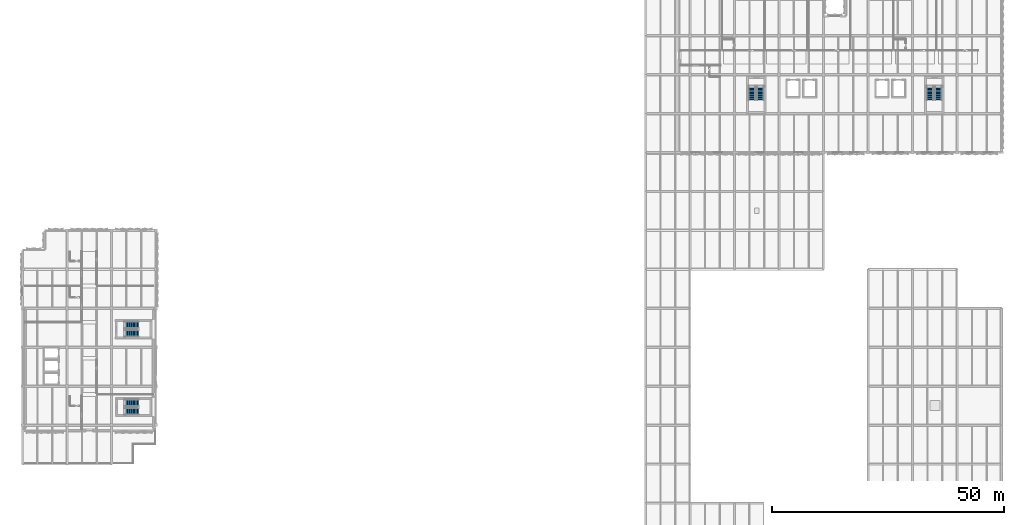
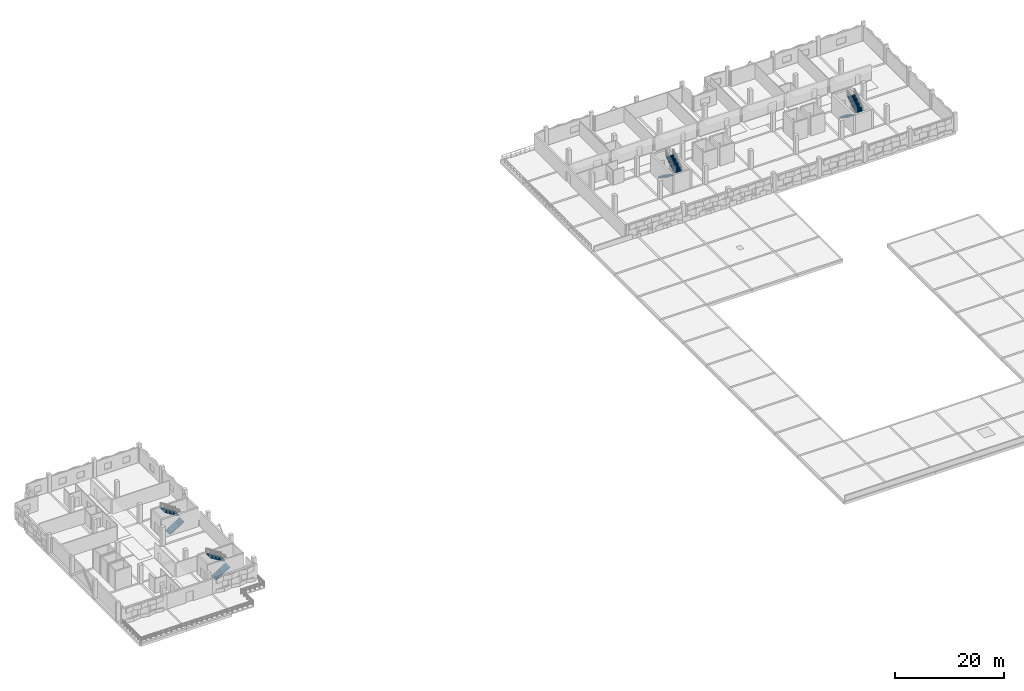
# One storey, part 17 of 24: 8 stair flights, 4 elements without a shape of their own.
"""IFC4 building model written with IfcOpenShell, lengths in metres."""

from ifc_helpers import new_model, si_unit, direction, frame, origin, place, context, subcontext, project, spatial, polyline, outline, extrude, material, type_object, element, aggregate, save


model = new_model("IFC4")

# Units and contexts
model_context = context("Model", 3, precision=1e-05, world=origin(), true_north=direction((0.0, 1.0)))
body_context = subcontext(model_context, "Body", "Model", "MODEL_VIEW")
ifc_project = project(units=[si_unit("LENGTHUNIT", "METRE"), si_unit("AREAUNIT", "SQUARE_METRE"), si_unit("VOLUMEUNIT", "CUBIC_METRE"), si_unit("PLANEANGLEUNIT", "RADIAN"), si_unit("MASSUNIT", "GRAM", prefix="KILO")], contexts=[model_context])

# Site, building, storey
site_placement = place(None, origin())
site = spatial("IfcSite", under=ifc_project, at=site_placement, CompositionType="ELEMENT")
building_placement = place(site_placement, origin())
building = spatial("IfcBuilding", under=site, at=building_placement, Name="Oolite Switchyard Hospital", CompositionType="ELEMENT")
storey_placement = place(building_placement, frame((0.0, 0.0, 22.0)))
storey = spatial("IfcBuildingStorey", under=building, at=storey_placement, Name="L05", CompositionType="ELEMENT", Elevation=22.0)

# Stair, stair flights
ifc_material = material(Name="Concrete C40/50", Category="concrete")
stair_type = type_object("IfcStairType", Name="STR-DL-156-R24", PredefinedType="HALF_TURN_STAIR", material=ifc_material)
stair_1_placement = place(storey_placement, origin())
stair_1 = element("IfcStair", 1, at=stair_1_placement, inside=storey, type_object=stair_type, Name="L05 Exit Stair ST-01", PredefinedType="HALF_TURN_STAIR")
stair_flight_type = type_object("IfcStairFlightType", Name="FLT-DL-156-R12", PredefinedType="STRAIGHT", material=ifc_material)
stair_flight_1_placement = place(storey_placement, frame((21.9599609375, 44.97998046875, 0.0), z_axis=(0.0, 0.0, 1.0), x_axis=(1.0, 0.0, 0.0)))
stair_flight_1 = element("IfcStairFlight", 2, at=stair_flight_1_placement, type_object=stair_flight_type, Name="ST-01 flight 1", NumberOfRisers=12, NumberOfTreads=11, PredefinedType="STRAIGHT", RiserHeight=0.175, TreadLength=0.28, context=body_context, shape_type="SweptSolid", body=[
    extrude(outline(polyline([(0.0, 0.0), (0.0, 0.175048828125), (0.280029296875, 0.175048828125), (0.280029296875, 0.35009765625), (0.56005859375, 0.35009765625), (0.56005859375, 0.52490234375), (0.840087890625, 0.52490234375), (0.840087890625, 0.699951171875), (1.1201171875, 0.699951171875), (1.1201171875, 0.875), (1.39990234375, 0.875), (1.39990234375, 1.050048828125), (1.679931640625, 1.050048828125), (1.679931640625, 1.22509765625), (1.9599609375, 1.22509765625), (1.9599609375, 1.39990234375), (2.239990234375, 1.39990234375), (2.239990234375, 1.574951171875), (2.52001953125, 1.574951171875), (2.52001953125, 1.75), (2.800048828125, 1.75), (2.800048828125, 1.925048828125), (3.080078125, 1.925048828125), (3.080078125, 2.10009765625), (3.080078125, 1.748291015625), (0.28271484375, 0.0), (0.0, 0.0)])), frame((0.0, 0.780029296875, 0.0), z_axis=(0.0, -1.0, 0.0), x_axis=(1.0, 0.0, 0.0)), (0.0, 0.0, 1.0), 1.56005859375),
])
stair_flight_2_placement = place(storey_placement, frame((25.0400390625, 46.780029296875, 2.10009765625), z_axis=(0.0, 0.0, 1.0), x_axis=(-1.0, 0.0, 0.0)))
stair_flight_2 = element("IfcStairFlight", 3, at=stair_flight_2_placement, type_object=stair_flight_type, Name="ST-01 flight 2", NumberOfRisers=12, NumberOfTreads=11, PredefinedType="STRAIGHT", RiserHeight=0.175, TreadLength=0.28, context=body_context, shape_type="SweptSolid", body=[
    extrude(outline(polyline([(0.0, 0.0), (0.0, 0.175048828125), (0.280029296875, 0.175048828125), (0.280029296875, 0.35009765625), (0.56005859375, 0.35009765625), (0.56005859375, 0.52490234375), (0.840087890625, 0.52490234375), (0.840087890625, 0.699951171875), (1.1201171875, 0.699951171875), (1.1201171875, 0.875), (1.39990234375, 0.875), (1.39990234375, 1.050048828125), (1.679931640625, 1.050048828125), (1.679931640625, 1.22509765625), (1.9599609375, 1.22509765625), (1.9599609375, 1.39990234375), (2.239990234375, 1.39990234375), (2.239990234375, 1.574951171875), (2.52001953125, 1.574951171875), (2.52001953125, 1.75), (2.800048828125, 1.75), (2.800048828125, 1.925048828125), (3.080078125, 1.925048828125), (3.080078125, 2.10009765625), (3.080078125, 1.748291015625), (0.28271484375, 0.0), (0.0, 0.0)])), frame((0.0, 0.780029296875, 0.0), z_axis=(0.0, -1.0, 0.0), x_axis=(1.0, 0.0, 0.0)), (0.0, 0.0, 1.0), 1.56005859375),
])
aggregate(stair_1, [stair_flight_1, stair_flight_2])

stair_2_placement = place(storey_placement, origin())
stair_2 = element("IfcStair", 4, at=stair_2_placement, inside=storey, type_object=stair_type, Name="L05 Exit Stair ST-02", PredefinedType="HALF_TURN_STAIR")
stair_flight_3_placement = place(storey_placement, frame((21.9599609375, 61.780029296875, 0.0), z_axis=(0.0, 0.0, 1.0), x_axis=(1.0, 0.0, 0.0)))
stair_flight_3 = element("IfcStairFlight", 5, at=stair_flight_3_placement, type_object=stair_flight_type, Name="ST-02 flight 1", NumberOfRisers=12, NumberOfTreads=11, PredefinedType="STRAIGHT", RiserHeight=0.175, TreadLength=0.28, context=body_context, shape_type="SweptSolid", body=[
    extrude(outline(polyline([(0.0, 0.0), (0.0, 0.175048828125), (0.280029296875, 0.175048828125), (0.280029296875, 0.35009765625), (0.56005859375, 0.35009765625), (0.56005859375, 0.52490234375), (0.840087890625, 0.52490234375), (0.840087890625, 0.699951171875), (1.1201171875, 0.699951171875), (1.1201171875, 0.875), (1.39990234375, 0.875), (1.39990234375, 1.050048828125), (1.679931640625, 1.050048828125), (1.679931640625, 1.22509765625), (1.9599609375, 1.22509765625), (1.9599609375, 1.39990234375), (2.239990234375, 1.39990234375), (2.239990234375, 1.574951171875), (2.52001953125, 1.574951171875), (2.52001953125, 1.75), (2.800048828125, 1.75), (2.800048828125, 1.925048828125), (3.080078125, 1.925048828125), (3.080078125, 2.10009765625), (3.080078125, 1.748291015625), (0.28271484375, 0.0), (0.0, 0.0)])), frame((0.0, 0.780029296875, 0.0), z_axis=(0.0, -1.0, 0.0), x_axis=(1.0, 0.0, 0.0)), (0.0, 0.0, 1.0), 1.56005859375),
])
stair_flight_4_placement = place(storey_placement, frame((25.0400390625, 63.580078125, 2.10009765625), z_axis=(0.0, 0.0, 1.0), x_axis=(-1.0, 0.0, 0.0)))
stair_flight_4 = element("IfcStairFlight", 6, at=stair_flight_4_placement, type_object=stair_flight_type, Name="ST-02 flight 2", NumberOfRisers=12, NumberOfTreads=11, PredefinedType="STRAIGHT", RiserHeight=0.175, TreadLength=0.28, context=body_context, shape_type="SweptSolid", body=[
    extrude(outline(polyline([(0.0, 0.0), (0.0, 0.175048828125), (0.280029296875, 0.175048828125), (0.280029296875, 0.35009765625), (0.56005859375, 0.35009765625), (0.56005859375, 0.52490234375), (0.840087890625, 0.52490234375), (0.840087890625, 0.699951171875), (1.1201171875, 0.699951171875), (1.1201171875, 0.875), (1.39990234375, 0.875), (1.39990234375, 1.050048828125), (1.679931640625, 1.050048828125), (1.679931640625, 1.22509765625), (1.9599609375, 1.22509765625), (1.9599609375, 1.39990234375), (2.239990234375, 1.39990234375), (2.239990234375, 1.574951171875), (2.52001953125, 1.574951171875), (2.52001953125, 1.75), (2.800048828125, 1.75), (2.800048828125, 1.925048828125), (3.080078125, 1.925048828125), (3.080078125, 2.10009765625), (3.080078125, 1.748291015625), (0.28271484375, 0.0), (0.0, 0.0)])), frame((0.0, 0.780029296875, 0.0), z_axis=(0.0, -1.0, 0.0), x_axis=(1.0, 0.0, 0.0)), (0.0, 0.0, 1.0), 1.56005859375),
])
aggregate(stair_2, [stair_flight_3, stair_flight_4])

stair_3_placement = place(storey_placement, origin())
stair_3 = element("IfcStair", 7, at=stair_3_placement, inside=storey, type_object=stair_type, Name="L05 Exit Stair ST-03", PredefinedType="HALF_TURN_STAIR")
stair_flight_5_placement = place(storey_placement, frame((157.3798828125, 115.18994140625, 0.0), z_axis=(0.0, 0.0, 1.0), x_axis=(0.0, -1.0, 0.0)))
stair_flight_5 = element("IfcStairFlight", 8, at=stair_flight_5_placement, type_object=stair_flight_type, Name="ST-03 flight 1", NumberOfRisers=12, NumberOfTreads=11, PredefinedType="STRAIGHT", RiserHeight=0.175, TreadLength=0.28, context=body_context, shape_type="SweptSolid", body=[
    extrude(outline(polyline([(0.0, 0.0), (0.0, 0.175048828125), (0.280029296875, 0.175048828125), (0.280029296875, 0.35009765625), (0.56005859375, 0.35009765625), (0.56005859375, 0.52490234375), (0.840087890625, 0.52490234375), (0.840087890625, 0.699951171875), (1.1201171875, 0.699951171875), (1.1201171875, 0.875), (1.39990234375, 0.875), (1.39990234375, 1.050048828125), (1.679931640625, 1.050048828125), (1.679931640625, 1.22509765625), (1.9599609375, 1.22509765625), (1.9599609375, 1.39990234375), (2.239990234375, 1.39990234375), (2.239990234375, 1.574951171875), (2.52001953125, 1.574951171875), (2.52001953125, 1.75), (2.800048828125, 1.75), (2.800048828125, 1.925048828125), (3.080078125, 1.925048828125), (3.080078125, 2.10009765625), (3.080078125, 1.748291015625), (0.28271484375, 0.0), (0.0, 0.0)])), frame((0.0, 0.780029296875, 0.0), z_axis=(0.0, -1.0, 0.0), x_axis=(1.0, 0.0, 0.0)), (0.0, 0.0, 1.0), 1.56005859375),
])
stair_flight_6_placement = place(storey_placement, frame((159.179931640625, 112.110107421875, 2.10009765625), z_axis=(0.0, 0.0, 1.0), x_axis=(0.0, 1.0, 0.0)))
stair_flight_6 = element("IfcStairFlight", 9, at=stair_flight_6_placement, type_object=stair_flight_type, Name="ST-03 flight 2", NumberOfRisers=12, NumberOfTreads=11, PredefinedType="STRAIGHT", RiserHeight=0.175, TreadLength=0.28, context=body_context, shape_type="SweptSolid", body=[
    extrude(outline(polyline([(0.0, 0.0), (0.0, 0.175048828125), (0.280029296875, 0.175048828125), (0.280029296875, 0.35009765625), (0.56005859375, 0.35009765625), (0.56005859375, 0.52490234375), (0.840087890625, 0.52490234375), (0.840087890625, 0.699951171875), (1.1201171875, 0.699951171875), (1.1201171875, 0.875), (1.39990234375, 0.875), (1.39990234375, 1.050048828125), (1.679931640625, 1.050048828125), (1.679931640625, 1.22509765625), (1.9599609375, 1.22509765625), (1.9599609375, 1.39990234375), (2.239990234375, 1.39990234375), (2.239990234375, 1.574951171875), (2.52001953125, 1.574951171875), (2.52001953125, 1.75), (2.800048828125, 1.75), (2.800048828125, 1.925048828125), (3.080078125, 1.925048828125), (3.080078125, 2.10009765625), (3.080078125, 1.748291015625), (0.28271484375, 0.0), (0.0, 0.0)])), frame((0.0, 0.780029296875, 0.0), z_axis=(0.0, -1.0, 0.0), x_axis=(1.0, 0.0, 0.0)), (0.0, 0.0, 1.0), 1.56005859375),
])
aggregate(stair_3, [stair_flight_5, stair_flight_6])

stair_4_placement = place(storey_placement, origin())
stair_4 = element("IfcStair", 10, at=stair_4_placement, inside=storey, type_object=stair_type, Name="L05 Exit Stair ST-04", PredefinedType="HALF_TURN_STAIR")
stair_flight_7_placement = place(storey_placement, frame((195.780029296875, 115.18994140625, 0.0), z_axis=(0.0, 0.0, 1.0), x_axis=(0.0, -1.0, 0.0)))
stair_flight_7 = element("IfcStairFlight", 11, at=stair_flight_7_placement, type_object=stair_flight_type, Name="ST-04 flight 1", NumberOfRisers=12, NumberOfTreads=11, PredefinedType="STRAIGHT", RiserHeight=0.175, TreadLength=0.28, context=body_context, shape_type="SweptSolid", body=[
    extrude(outline(polyline([(0.0, 0.0), (0.0, 0.175048828125), (0.280029296875, 0.175048828125), (0.280029296875, 0.35009765625), (0.56005859375, 0.35009765625), (0.56005859375, 0.52490234375), (0.840087890625, 0.52490234375), (0.840087890625, 0.699951171875), (1.1201171875, 0.699951171875), (1.1201171875, 0.875), (1.39990234375, 0.875), (1.39990234375, 1.050048828125), (1.679931640625, 1.050048828125), (1.679931640625, 1.22509765625), (1.9599609375, 1.22509765625), (1.9599609375, 1.39990234375), (2.239990234375, 1.39990234375), (2.239990234375, 1.574951171875), (2.52001953125, 1.574951171875), (2.52001953125, 1.75), (2.800048828125, 1.75), (2.800048828125, 1.925048828125), (3.080078125, 1.925048828125), (3.080078125, 2.10009765625), (3.080078125, 1.748291015625), (0.28271484375, 0.0), (0.0, 0.0)])), frame((0.0, 0.780029296875, 0.0), z_axis=(0.0, -1.0, 0.0), x_axis=(1.0, 0.0, 0.0)), (0.0, 0.0, 1.0), 1.56005859375),
])
stair_flight_8_placement = place(storey_placement, frame((197.580078125, 112.110107421875, 2.10009765625), z_axis=(0.0, 0.0, 1.0), x_axis=(0.0, 1.0, 0.0)))
stair_flight_8 = element("IfcStairFlight", 12, at=stair_flight_8_placement, type_object=stair_flight_type, Name="ST-04 flight 2", NumberOfRisers=12, NumberOfTreads=11, PredefinedType="STRAIGHT", RiserHeight=0.175, TreadLength=0.28, context=body_context, shape_type="SweptSolid", body=[
    extrude(outline(polyline([(0.0, 0.0), (0.0, 0.175048828125), (0.280029296875, 0.175048828125), (0.280029296875, 0.35009765625), (0.56005859375, 0.35009765625), (0.56005859375, 0.52490234375), (0.840087890625, 0.52490234375), (0.840087890625, 0.699951171875), (1.1201171875, 0.699951171875), (1.1201171875, 0.875), (1.39990234375, 0.875), (1.39990234375, 1.050048828125), (1.679931640625, 1.050048828125), (1.679931640625, 1.22509765625), (1.9599609375, 1.22509765625), (1.9599609375, 1.39990234375), (2.239990234375, 1.39990234375), (2.239990234375, 1.574951171875), (2.52001953125, 1.574951171875), (2.52001953125, 1.75), (2.800048828125, 1.75), (2.800048828125, 1.925048828125), (3.080078125, 1.925048828125), (3.080078125, 2.10009765625), (3.080078125, 1.748291015625), (0.28271484375, 0.0), (0.0, 0.0)])), frame((0.0, 0.780029296875, 0.0), z_axis=(0.0, -1.0, 0.0), x_axis=(1.0, 0.0, 0.0)), (0.0, 0.0, 1.0), 1.56005859375),
])
aggregate(stair_4, [stair_flight_7, stair_flight_8])

save(model, "model.ifc")
